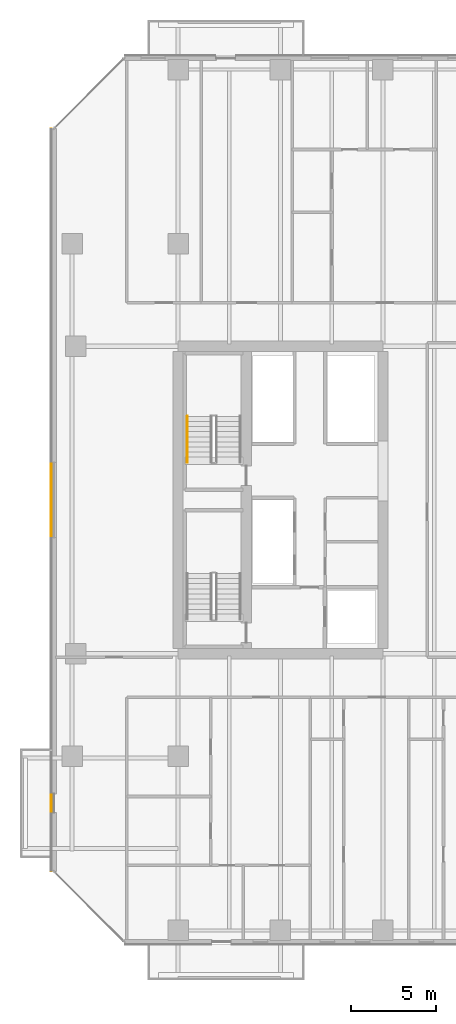
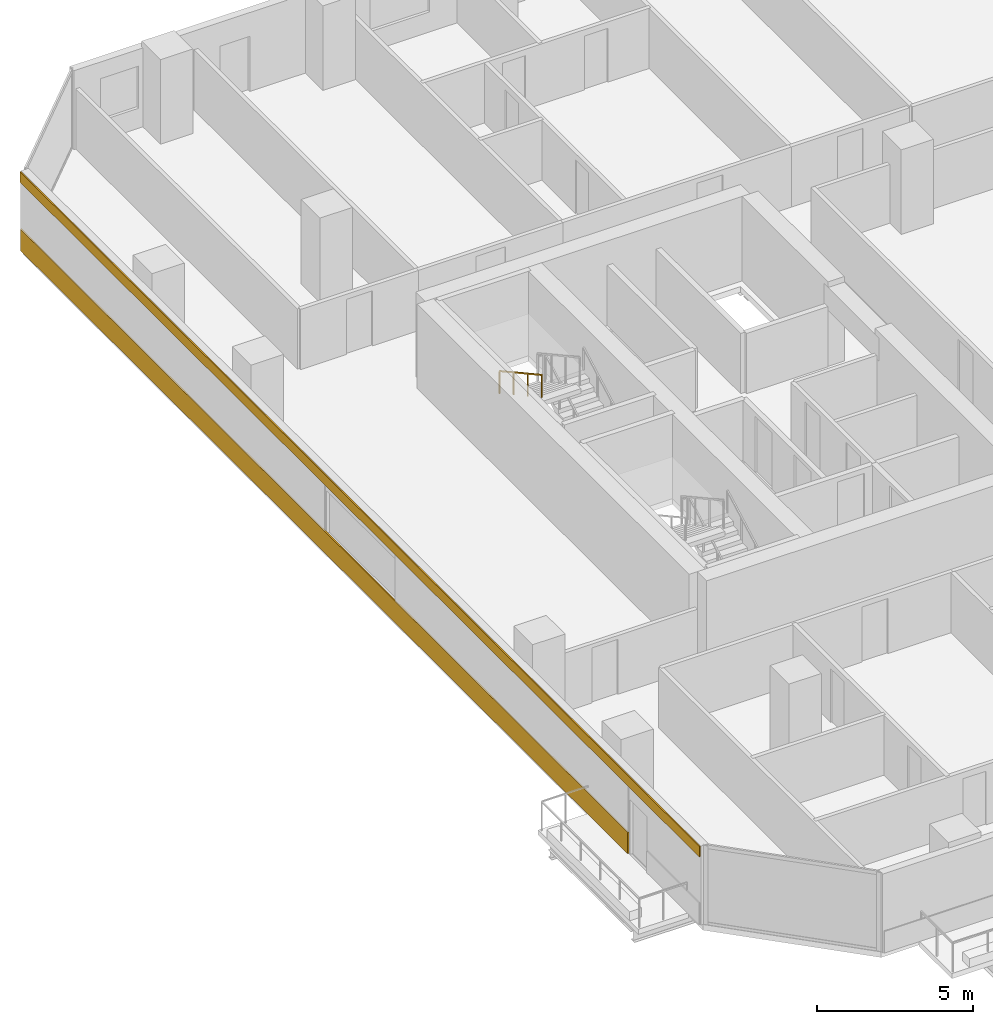
# One storey, part 26 of 33: 2 coverings, 1 railing.
"""IFC4 building model written with IfcOpenShell, lengths in metres."""

from ifc_helpers import new_model, si_unit, direction, frame, origin, origin_2d, place, context, subcontext, project, spatial, rectangle, extrude, material, layer, layer_set, type_object, element, save


model = new_model("IFC4")

# Units and contexts
model_context = context("Model", 3, precision=1e-05, world=origin(), true_north=direction((0.0, 1.0)))
body_context = subcontext(model_context, "Body", "Model", "MODEL_VIEW")
ifc_project = project(units=[si_unit("LENGTHUNIT", "METRE"), si_unit("AREAUNIT", "SQUARE_METRE"), si_unit("VOLUMEUNIT", "CUBIC_METRE"), si_unit("PLANEANGLEUNIT", "RADIAN"), si_unit("MASSUNIT", "GRAM", prefix="KILO")], contexts=[model_context])

# Site, building, storey
site_placement = place(None, origin())
site = spatial("IfcSite", under=ifc_project, at=site_placement, CompositionType="ELEMENT")
building_placement = place(site_placement, origin())
building = spatial("IfcBuilding", under=site, at=building_placement, Name="Tanjung Sevakor Pilgrim Tower", CompositionType="ELEMENT")
storey_placement = place(building_placement, frame((0.0, 0.0, 32.340087890625)))
storey = spatial("IfcBuildingStorey", under=building, at=storey_placement, Name="L08", CompositionType="ELEMENT", Elevation=32.340087890625)

# Coverings
ifc_material_1 = material(Name="Reconstructed Limestone Cladding", Category="masonry")
ifc_layer = layer(ifc_material_1, 0.044921875)
ifc_layer_set = layer_set([ifc_layer], Name="COV-CLAD-LIMESTONE")
covering_type = type_object("IfcCoveringType", Name="COV-CLAD-LIMESTONE", PredefinedType="CLADDING", material=ifc_layer_set)
covering_1_placement = place(storey_placement, frame((16.577392578125, 35.881103515625, 0.009765625), z_axis=(0.0, 0.0, 1.0), x_axis=(0.0, -1.0, 0.0)))
element("IfcCovering", 1, at=covering_1_placement, inside=storey, type_object=covering_type, Name="L08 Warm Limestone Sill Spandrel EW-L08-MAIN-15-1", PredefinedType="CLADDING", context=body_context, shape_type="SweptSolid", body=[
    extrude(rectangle(XDim=38.842041015625, YDim=0.044921875, at=origin_2d()), origin(), (0.0, 0.0, 1.0), 0.840087890625),
])
covering_2_placement = place(storey_placement, frame((16.577392578125, 33.60009765625, 2.66015625), z_axis=(0.0, 0.0, 1.0), x_axis=(0.0, -1.0, 0.0)))
element("IfcCovering", 2, at=covering_2_placement, inside=storey, type_object=covering_type, Name="L08 Warm Limestone Cornice Spandrel EW-L08-MAIN-15", PredefinedType="CLADDING", context=body_context, shape_type="SweptSolid", body=[
    extrude(rectangle(XDim=43.444091796875, YDim=0.044921875, at=origin_2d()), origin(), (0.0, 0.0, 1.0), 0.409912109375),
])

# Railing
ifc_material_2 = material(Name="Steel S355J2", Category="steel")
railing_type = type_object("IfcRailingType", Name="RL-STAIR-HAND", PredefinedType="HANDRAIL", material=ifc_material_2)
railing_placement = place(storey_placement, frame((24.550048828125, 38.5, 1.81494140625)))
element("IfcRailing", 3, at=railing_placement, inside=storey, type_object=railing_type, Name="L08 TS-W2 stair handrail 2", PredefinedType="HANDRAIL", context=body_context, shape_type="SweptSolid", body=[
    extrude(rectangle(XDim=0.0479, YDim=0.0479), frame((0.0, 0.0, 0.8759765625), z_axis=(0.0, -0.876230963923, 0.481891375584), x_axis=(1.0, 0.0, 0.0)), (0.0, 0.0, 1.0), 3.081298828125),
    extrude(rectangle(XDim=0.042, YDim=0.042), origin(), (0.0, 0.0, 1.0), 0.851806640625),
    extrude(rectangle(XDim=0.042, YDim=0.042), frame((0.0, -0.89990234375, 0.494873046875)), (0.0, 0.0, 1.0), 0.851806640625),
    extrude(rectangle(XDim=0.042, YDim=0.042), frame((0.0, -1.800048828125, 0.989990234375)), (0.0, 0.0, 1.0), 0.851806640625),
    extrude(rectangle(XDim=0.042, YDim=0.042), frame((0.0, -2.699951171875, 1.48486328125)), (0.0, 0.0, 1.0), 0.851806640625),
])

save(model, "model.ifc")
